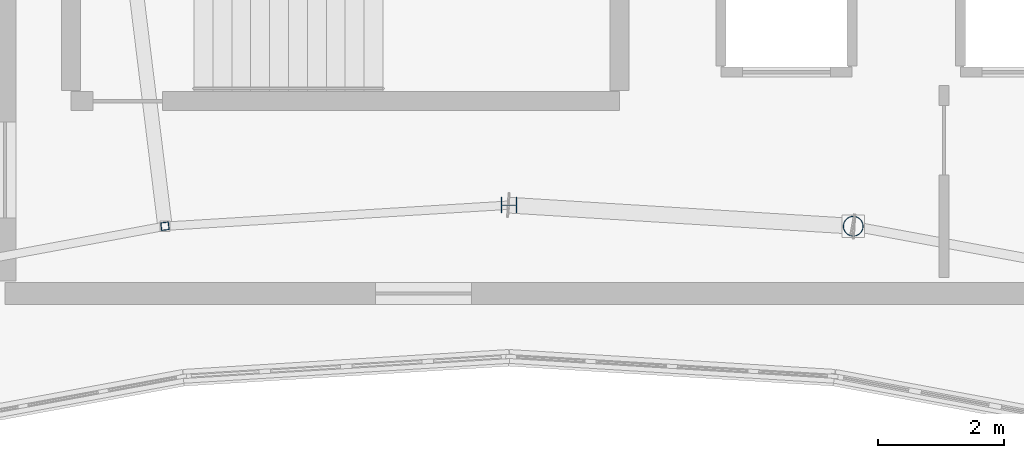
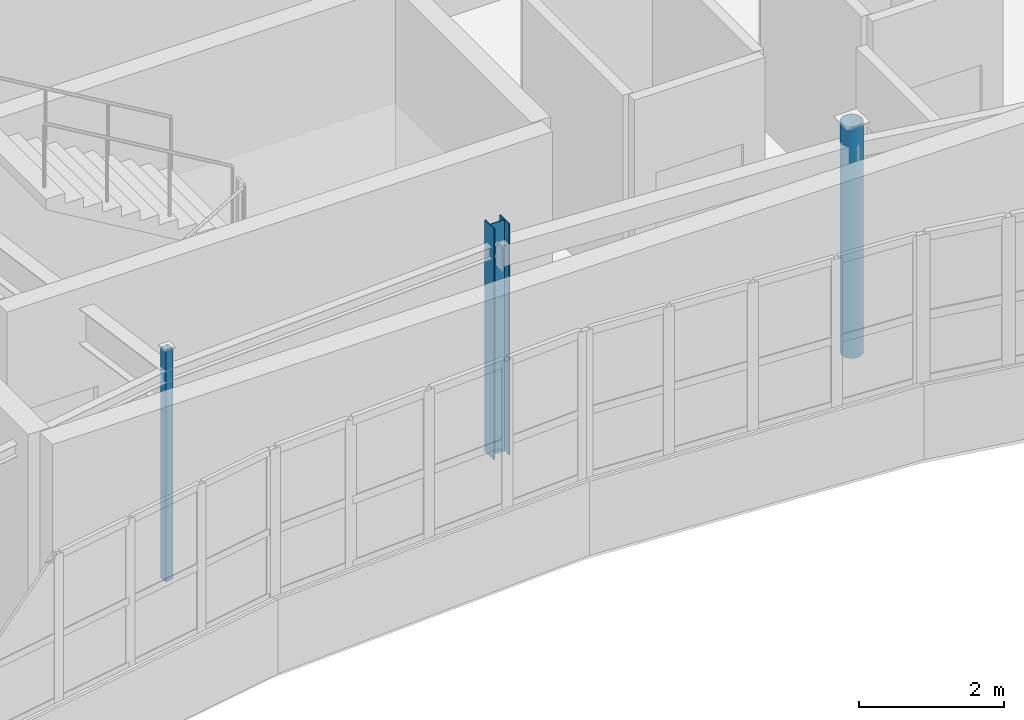
# One storey, part 12 of 79: 3 columns.
"""IFC4 building model written with IfcOpenShell, lengths in metres."""

import ifcopenshell
import ifcopenshell.guid

model = None  # the IFC model being written
_history = None  # IfcOwnerHistory: only IFC2X3 demands one
_inside = {}  # id of a spatial element -> (the spatial element, [elements in it])
_under = {}  # id of a project, library or spatial element -> (it, [spatial elements below it])
_declared = {}  # id of a project -> (the project, [libraries it declares])
_typed = {}  # id of a type object -> (the type object, [elements of that type])
_made_of = {}  # id of a material, layer set ... -> (it, [elements and type objects made of it])


def new_model(schema):
    """Start an empty IFC model of exactly this schema.

    Asked for "IFC4X3", IfcOpenShell would pick the latest addendum, in which some entities
    have other attributes; the version numbers below select the first issue.
    IFC2X3 requires an IfcOwnerHistory on every rooted entity: one is made here for all.
    """
    global model, _history
    if schema == "IFC4X3":
        model = ifcopenshell.file(schema_version=(4, 3, 0, 0))
    else:
        model = ifcopenshell.file(schema=schema)
    _inside.clear()
    _under.clear()
    _declared.clear()
    _typed.clear()
    _made_of.clear()
    _history = None
    if model.schema == "IFC2X3":
        org = make("IfcOrganization", Name="unknown")
        user = make(
            "IfcPersonAndOrganization",
            ThePerson=make("IfcPerson", FamilyName="unknown"),
            TheOrganization=org,
        )
        app = make(
            "IfcApplication",
            ApplicationDeveloper=org,
            Version="unknown",
            ApplicationFullName="unknown",
            ApplicationIdentifier="unknown",
        )
        _history = make(
            "IfcOwnerHistory",
            OwningUser=user,
            OwningApplication=app,
            ChangeAction="ADDED",
            CreationDate=0,
        )
    return model


def make(cls, **values):
    """One entity of the class cls with the attributes given. An attribute that is None is left unset."""
    return model.create_entity(
        cls, **{name: value for name, value in values.items() if value is not None}
    )


def rooted(cls, **values):
    """An entity with a GlobalId (a new one), such as an element, a storey or a relation."""
    return make(cls, GlobalId=ifcopenshell.guid.new(), OwnerHistory=_history, **values)


def si_unit(unit_type, name, prefix=None):
    """IfcSIUnit, for example si_unit("LENGTHUNIT", "METRE", prefix="MILLI")."""
    return make("IfcSIUnit", UnitType=unit_type, Prefix=prefix, Name=name)


def assignment(units):
    """IfcUnitAssignment: the units of a project."""
    return None if units is None else make("IfcUnitAssignment", Units=units)


def point(xyz):
    """IfcCartesianPoint."""
    return None if xyz is None else make("IfcCartesianPoint", Coordinates=xyz)


def direction(xyz):
    """IfcDirection."""
    return None if xyz is None else make("IfcDirection", DirectionRatios=xyz)


def frame(location, z_axis=None, x_axis=None):
    """IfcAxis2Placement3D, a coordinate frame: its origin and axes. An axis left out is left unset."""
    return make(
        "IfcAxis2Placement3D",
        Location=point(location),
        Axis=direction(z_axis),
        RefDirection=direction(x_axis),
    )


def frame_2d(location, x_axis=None):
    """IfcAxis2Placement2D, a coordinate frame in the plane: its origin and x axis."""
    return make(
        "IfcAxis2Placement2D", Location=point(location), RefDirection=direction(x_axis)
    )


def origin():
    """The frame at (0, 0, 0) with its axes left unset."""
    return frame((0.0, 0.0, 0.0))


def origin_2d():
    """The frame at (0, 0) in the plane with its x axis left unset."""
    return frame_2d((0.0, 0.0))


def place(relative_to, where):
    """IfcLocalPlacement: puts the frame where relative to a parent placement (None: the world)."""
    return make(
        "IfcLocalPlacement", PlacementRelTo=relative_to, RelativePlacement=where
    )


def context(
    kind, dimensions, precision=None, world=None, true_north=None, identifier=None
):
    """IfcGeometricRepresentationContext, for example the 3D "Model" context."""
    return make(
        "IfcGeometricRepresentationContext",
        ContextIdentifier=identifier,
        ContextType=kind,
        CoordinateSpaceDimension=dimensions,
        Precision=precision,
        WorldCoordinateSystem=world,
        TrueNorth=true_north,
    )


def subcontext(parent, identifier, kind, view, scale=None):
    """IfcGeometricRepresentationSubContext, for example "Body" below "Model"."""
    return make(
        "IfcGeometricRepresentationSubContext",
        ContextIdentifier=identifier,
        ContextType=kind,
        ParentContext=parent,
        TargetScale=scale,
        TargetView=view,
    )


def project(units=None, contexts=None):
    """IfcProject with its units and contexts."""
    return rooted(
        "IfcProject",
        Name="project",
        RepresentationContexts=contexts,
        UnitsInContext=assignment(units),
    )


def spatial(cls, under=None, at=None, **own):
    """A site, building, storey or space (cls), placed at a placement, below another one or the project."""
    s = rooted(cls, ObjectPlacement=at, **own)
    if under is not None:
        _under.setdefault(under.id(), (under, []))[1].append(s)
    return s


def profile(cls, at=None, kind="AREA", **sizes):
    """A parametric profile (cls). Its sizes go by their IFC names, for example OverallWidth=200.0."""
    return make(cls, ProfileType=kind, Position=at, **sizes)


def hollow_rectangle(**sizes):
    """IfcRectangleHollowProfileDef."""
    return profile("IfcRectangleHollowProfileDef", **sizes)


def hollow_circle(**sizes):
    """IfcCircleHollowProfileDef."""
    return profile("IfcCircleHollowProfileDef", **sizes)


def i_section(**sizes):
    """IfcIShapeProfileDef."""
    return profile("IfcIShapeProfileDef", **sizes)


def extrude(swept, where, along, depth):
    """IfcExtrudedAreaSolid: the profile swept, set in the frame where, extruded along a direction by depth."""
    return make(
        "IfcExtrudedAreaSolid",
        SweptArea=swept,
        Position=where,
        ExtrudedDirection=direction(along),
        Depth=depth,
    )


def shape(context_of_items, identifier, shape_type, items):
    """IfcShapeRepresentation: the items that make up one representation, for example the "Body"."""
    return make(
        "IfcShapeRepresentation",
        ContextOfItems=context_of_items,
        RepresentationIdentifier=identifier,
        RepresentationType=shape_type,
        Items=items,
    )


def material(Name=None, Category=None):
    """IfcMaterial."""
    return make("IfcMaterial", Name=Name, Category=Category)


def material_profile(
    of_material, cross_section, Name=None, Category=None, Priority=None
):
    """IfcMaterialProfile: a cross section and its material."""
    return make(
        "IfcMaterialProfile",
        Name=Name,
        Material=of_material,
        Profile=cross_section,
        Priority=Priority,
        Category=Category,
    )


def profile_set(profiles, Name=None, composite=None):
    """IfcMaterialProfileSet."""
    return make(
        "IfcMaterialProfileSet",
        Name=Name,
        MaterialProfiles=profiles,
        CompositeProfile=composite,
    )


def made_of(thing, what):
    """Note that an element or type object is made of a material, layer set ...; save() writes the relation."""
    if what is not None:
        _made_of.setdefault(what.id(), (what, []))[1].append(thing)
    return thing


def type_object(cls, material=None, **own):
    """A type object (cls), such as IfcWallType, which elements share."""
    return made_of(rooted(cls, **own), material)


def element(
    cls,
    number,
    at=None,
    inside=None,
    cuts=None,
    type_object=None,
    material=None,
    context=None,
    identifier="Body",
    shape_type=None,
    held_by="IfcProductDefinitionShape",
    body=None,
    shapes=None,
    **own,
):
    """One element of the class cls, such as IfcWall. Its Tag is "e" and its number.

    at: its placement. inside: the storey or other place that contains it. cuts: it is an
    opening in that element (IfcRelVoidsElement). A single representation is given by context,
    identifier, shape_type and body (its items); several are given by shapes. held_by: the class
    of the entity that holds the representations. save() writes the other relations.
    """
    e = rooted(cls, Tag="e%d" % number, ObjectPlacement=at, **own)
    if body is not None:
        shapes = [shape(context, identifier, shape_type, body)]
    if shapes is not None:
        e.Representation = make(held_by, Representations=shapes)
    if inside is not None:
        _inside.setdefault(inside.id(), (inside, []))[1].append(e)
    if cuts is not None:
        rooted(
            "IfcRelVoidsElement", RelatingBuildingElement=cuts, RelatedOpeningElement=e
        )
    if type_object is not None:
        _typed.setdefault(type_object.id(), (type_object, []))[1].append(e)
    return made_of(e, material)


def aggregate(whole, parts):
    """IfcRelAggregates: a whole, such as a stair, and the parts it consists of."""
    return rooted("IfcRelAggregates", RelatingObject=whole, RelatedObjects=parts)


def save(model, path):
    """Write the relations noted so far, then the file.

    IfcRelAggregates (storeys below a building ...), IfcRelContainedInSpatialStructure (elements
    in a storey), IfcRelDefinesByType, IfcRelAssociatesMaterial and IfcRelDeclares: one each for
    every whole, place, type object, material and project.
    """
    for whole, parts in _under.values():
        aggregate(whole, parts)
    for where, things in _inside.values():
        rooted(
            "IfcRelContainedInSpatialStructure",
            RelatedElements=things,
            RelatingStructure=where,
        )
    for kind, things in _typed.values():
        rooted("IfcRelDefinesByType", RelatedObjects=things, RelatingType=kind)
    for what, things in _made_of.values():
        rooted("IfcRelAssociatesMaterial", RelatedObjects=things, RelatingMaterial=what)
    for by, libraries in _declared.values():
        rooted("IfcRelDeclares", RelatingContext=by, RelatedDefinitions=libraries)
    model.write(path)


model = new_model("IFC4")

# Units and contexts
model_context = context("Model", 3, precision=1e-05, world=origin(), true_north=direction((0.0, 1.0)))
body_context = subcontext(model_context, "Body", "Model", "MODEL_VIEW")
ifc_project = project(units=[si_unit("LENGTHUNIT", "METRE"), si_unit("AREAUNIT", "SQUARE_METRE"), si_unit("VOLUMEUNIT", "CUBIC_METRE"), si_unit("PLANEANGLEUNIT", "RADIAN"), si_unit("MASSUNIT", "GRAM", prefix="KILO")], contexts=[model_context])

# Site, building, storey
site_placement = place(None, origin())
site = spatial("IfcSite", under=ifc_project, at=site_placement, CompositionType="ELEMENT")
building_placement = place(site_placement, origin())
building = spatial("IfcBuilding", under=site, at=building_placement, Name="Tarnwether General Hospital", CompositionType="ELEMENT")
storey_placement = place(building_placement, frame((0.0, 0.0, 18.300048828125)))
storey = spatial("IfcBuildingStorey", under=building, at=storey_placement, Name="L04", CompositionType="ELEMENT", Elevation=18.300048828125)

# Columns
ifc_material_1 = material(Name="Steel Grade 350 (350 MPa)", Category="steel")
ifc_material_profile_1 = material_profile(ifc_material_1, i_section(OverallWidth=0.25390625, OverallDepth=0.25390625, WebThickness=0.008544921875, FlangeThickness=0.01416015625, at=origin_2d()), Name="250UC72.9")
ifc_profile_set_1 = profile_set([ifc_material_profile_1], Name="Steel Grade 350 (350 MPa)")
column_type_1 = type_object("IfcColumnType", Name="COL-24", PredefinedType="COLUMN", material=ifc_profile_set_1)
column_1_placement = place(storey_placement, frame((92.0, 107.800048828125, 0.0), z_axis=(0.0, 0.0, 1.0), x_axis=(0.0, 1.0, 0.0)))
element("IfcColumn", 1, at=column_1_placement, inside=storey, type_object=column_type_1, Name="Column COLG-L04-9200_10780", PredefinedType="COLUMN", context=body_context, shape_type="SweptSolid", body=[
    extrude(i_section(OverallWidth=0.25390625, OverallDepth=0.25390625, WebThickness=0.008544921875, FlangeThickness=0.01416015625, at=origin_2d()), origin(), (0.0, 0.0, 1.0), 3.89990234375),
])
ifc_material_2 = material(Name="Steel Grade C350L0 (350 MPa)", Category="steel")
ifc_material_profile_2 = material_profile(ifc_material_2, hollow_circle(Radius=0.161865234375, WallThickness=0.0126953125, at=origin_2d()), Name="CHS323.9x12.7")
ifc_profile_set_2 = profile_set([ifc_material_profile_2], Name="Steel Grade C350L0 (350 MPa)")
column_type_2 = type_object("IfcColumnType", Name="COL-26", PredefinedType="COLUMN", material=ifc_profile_set_2)
column_2_placement = place(storey_placement, frame((97.4599609375, 107.466064453125, 0.0), z_axis=(0.0, 0.0, 1.0), x_axis=(0.121869343405, 0.992546151641, 0.0)))
element("IfcColumn", 2, at=column_2_placement, inside=storey, type_object=column_type_2, Name="Column COLG-L04-9746_10747", PredefinedType="COLUMN", context=body_context, shape_type="SweptSolid", body=[
    extrude(hollow_circle(Radius=0.161865234375, WallThickness=0.0126953125, at=origin_2d()), origin(), (0.0, 0.0, 1.0), 3.89990234375),
])
ifc_material_3 = material(Name="Steel Grade C350L0 (350 MPa)", Category="steel")
ifc_material_profile_3 = material_profile(ifc_material_3, hollow_rectangle(XDim=0.125, YDim=0.125, WallThickness=0.006103515625, at=origin_2d()), Name="SHS125x125x6")
ifc_profile_set_3 = profile_set([ifc_material_profile_3], Name="Steel Grade C350L0 (350 MPa)")
column_type_3 = type_object("IfcColumnType", Name="COL-34", PredefinedType="COLUMN", material=ifc_profile_set_3)
column_3_placement = place(storey_placement, frame((86.5400390625, 107.466064453125, 0.0), z_axis=(0.0, 0.0, 1.0), x_axis=(-0.121869343405, 0.992546151641, 0.0)))
element("IfcColumn", 3, at=column_3_placement, inside=storey, type_object=column_type_3, Name="Column COLG-L04-8654_10747", PredefinedType="COLUMN", context=body_context, shape_type="SweptSolid", body=[
    extrude(hollow_rectangle(XDim=0.125, YDim=0.125, WallThickness=0.006103515625, at=origin_2d()), origin(), (0.0, 0.0, 1.0), 3.89990234375),
])

save(model, "model.ifc")
